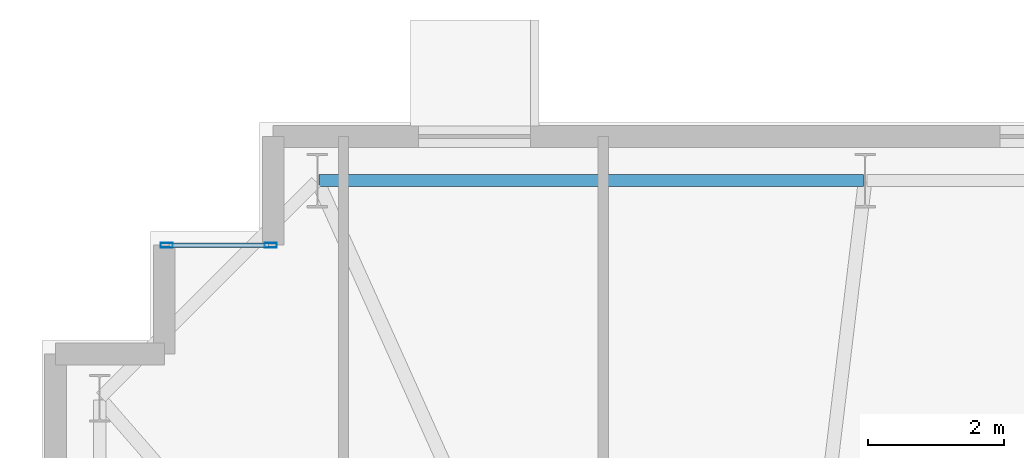
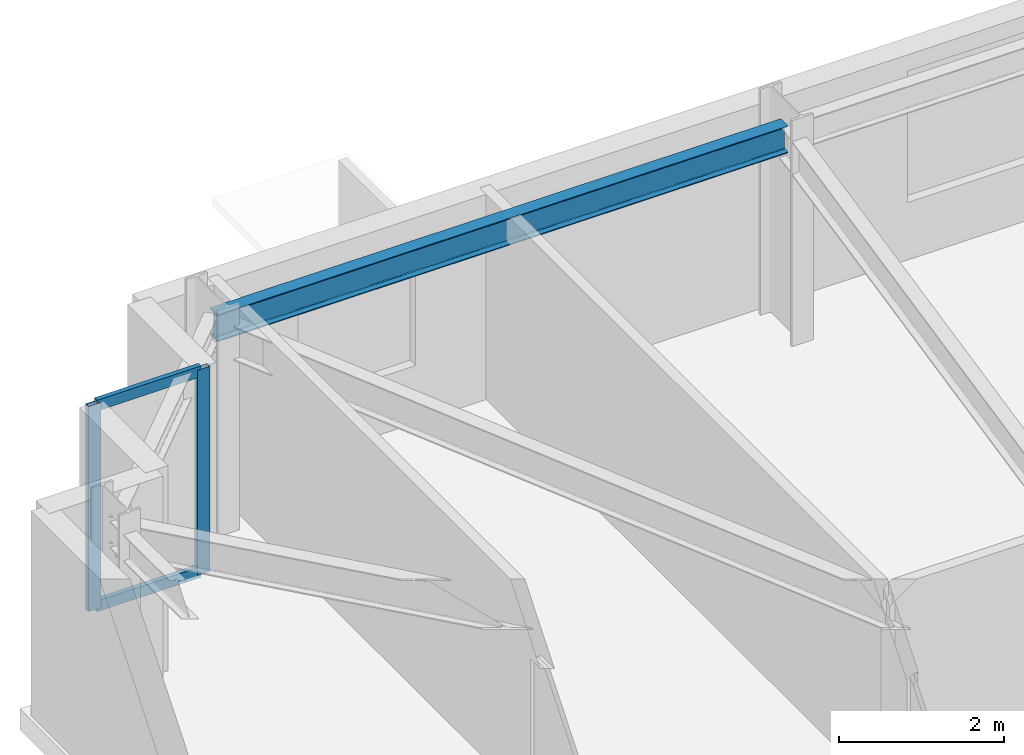
# One storey, part 7 of 18: 4 members, 1 beam, 1 element without a shape of its own.
"""IFC4 building model written with IfcOpenShell, lengths in metres."""

from ifc_helpers import new_model, si_unit, direction, frame, origin, origin_2d, place, context, subcontext, project, spatial, hollow_rectangle, i_section, extrude, material, layer, layer_set, material_profile, profile_set, type_object, element, aggregate, save


model = new_model("IFC4")

# Units and contexts
model_context = context("Model", 3, precision=1e-05, world=origin(), true_north=direction((0.0, 1.0)))
body_context = subcontext(model_context, "Body", "Model", "MODEL_VIEW")
ifc_project = project(units=[si_unit("LENGTHUNIT", "METRE"), si_unit("AREAUNIT", "SQUARE_METRE"), si_unit("VOLUMEUNIT", "CUBIC_METRE"), si_unit("PLANEANGLEUNIT", "RADIAN"), si_unit("MASSUNIT", "GRAM", prefix="KILO")], contexts=[model_context])

# Site, building, storey
site_placement = place(None, origin())
site = spatial("IfcSite", under=ifc_project, at=site_placement, CompositionType="ELEMENT")
building_placement = place(site_placement, origin())
building = spatial("IfcBuilding", under=site, at=building_placement, Name="Qobustan Lattice House", CompositionType="ELEMENT")
storey_placement = place(building_placement, frame((0.0, 0.0, 154.449951171875)))
storey = spatial("IfcBuildingStorey", under=building, at=storey_placement, Name="L43", CompositionType="ELEMENT", Elevation=154.449951171875)

# Beam
ifc_material_1 = material(Name="Steel S355", Category="steel")
ifc_material_profile_1 = material_profile(ifc_material_1, i_section(OverallWidth=0.179931640625, OverallDepth=0.39990234375, WebThickness=0.008544921875, FlangeThickness=0.013427734375, FilletRadius=0.02099609375, at=origin_2d()), Name="IPE400")
ifc_profile_set_1 = profile_set([ifc_material_profile_1], Name="Steel S355")
beam_type = type_object("IfcBeamType", Name="BM-SPD-IPE400", PredefinedType="SPANDREL", material=ifc_profile_set_1)
beam_placement = place(storey_placement, frame((-17.125, 19.75, 2.840087890625), z_axis=(-1.0, 0.0, 0.0), x_axis=(0.0, -1.0, 0.0)))
element("IfcBeam", 1, at=beam_placement, inside=storey, type_object=beam_type, Name="L43 perimeter spandrel N6-N7", PredefinedType="SPANDREL", context=body_context, shape_type="SweptSolid", body=[
    extrude(i_section(OverallWidth=0.179931640625, OverallDepth=0.39990234375, WebThickness=0.008544921875, FlangeThickness=0.013427734375, FilletRadius=0.02099609375, at=origin_2d()), origin(), (0.0, 0.0, 1.0), 8.0),
])

# Curtain wall, members
ifc_material_2 = material(Name="Anodised aluminium and low-E glazing", Category="aluminium")
ifc_layer = layer(ifc_material_2, 0.219970703125)
ifc_layer_set = layer_set([ifc_layer], Name="Anodised aluminium and low-E glazing")
curtain_wall_type = type_object("IfcCurtainWallType", Name="CW-FAC-02", PredefinedType="USERDEFINED", material=ifc_layer_set)
curtain_wall_placement = place(storey_placement, origin())
curtain_wall = element("IfcCurtainWall", 2, at=curtain_wall_placement, inside=storey, type_object=curtain_wall_type, Name="L43 serrated corner faceted glazing 8", ObjectType="CURTAIN WALL", PredefinedType="USERDEFINED")
ifc_material_3 = material(Name="Anodised aluminium EN AW-6063 T6", Category="aluminium")
ifc_material_profile_2 = material_profile(ifc_material_3, hollow_rectangle(XDim=0.070068359375, YDim=0.179931640625, WallThickness=0.00439453125, at=origin_2d()), Name="CWM-180x70")
ifc_profile_set_2 = profile_set([ifc_material_profile_2], Name="Anodised aluminium EN AW-6063 T6")
member_type_1 = type_object("IfcMemberType", Name="CWM-STD-180", PredefinedType="MULLION", material=ifc_profile_set_2)
member_1_placement = place(storey_placement, frame((-27.364990234375, 18.800048828125, 0.0), z_axis=(0.0, 0.0, 1.0), x_axis=(0.0, 1.0, 0.0)))
member_1 = element("IfcMember", 3, at=member_1_placement, type_object=member_type_1, Name="CW-F2 mullion 1", PredefinedType="MULLION", context=body_context, shape_type="SweptSolid", body=[
    extrude(hollow_rectangle(XDim=0.070068359375, YDim=0.179931640625, WallThickness=0.00439453125, at=origin_2d()), origin(), (0.0, 0.0, 1.0), 3.0400390625),
])
member_2_placement = place(storey_placement, frame((-25.8349609375, 18.800048828125, 0.0), z_axis=(0.0, 0.0, 1.0), x_axis=(0.0, 1.0, 0.0)))
member_2 = element("IfcMember", 4, at=member_2_placement, type_object=member_type_1, Name="CW-F2 mullion 2", PredefinedType="MULLION", context=body_context, shape_type="SweptSolid", body=[
    extrude(hollow_rectangle(XDim=0.070068359375, YDim=0.179931640625, WallThickness=0.00439453125, at=origin_2d()), origin(), (0.0, 0.0, 1.0), 3.0400390625),
])
ifc_material_4 = material(Name="Anodised aluminium EN AW-6063 T6", Category="aluminium")
ifc_material_profile_3 = material_profile(ifc_material_4, hollow_rectangle(XDim=0.06494140625, YDim=0.159912109375, WallThickness=0.00390625, at=origin_2d()), Name="CWT-160x65")
ifc_profile_set_3 = profile_set([ifc_material_profile_3], Name="Anodised aluminium EN AW-6063 T6")
member_type_2 = type_object("IfcMemberType", Name="CWT-HOR-160", PredefinedType="USERDEFINED", material=ifc_profile_set_3)
member_3_placement = place(storey_placement, frame((-27.330078125, 18.800048828125, 0.032470703125), z_axis=(1.0, 0.0, 0.0), x_axis=(0.0, 1.0, 0.0)))
member_3 = element("IfcMember", 5, at=member_3_placement, type_object=member_type_2, Name="CW-F2 transom 1.1", ObjectType="TRANSOM", PredefinedType="USERDEFINED", context=body_context, shape_type="SweptSolid", body=[
    extrude(hollow_rectangle(XDim=0.06494140625, YDim=0.159912109375, WallThickness=0.00390625, at=origin_2d()), origin(), (0.0, 0.0, 1.0), 1.4599609375),
])
member_4_placement = place(storey_placement, frame((-27.330078125, 18.800048828125, 3.007568359375), z_axis=(1.0, 0.0, 0.0), x_axis=(0.0, 1.0, 0.0)))
member_4 = element("IfcMember", 6, at=member_4_placement, type_object=member_type_2, Name="CW-F2 transom 1.2", ObjectType="TRANSOM", PredefinedType="USERDEFINED", context=body_context, shape_type="SweptSolid", body=[
    extrude(hollow_rectangle(XDim=0.06494140625, YDim=0.159912109375, WallThickness=0.00390625, at=origin_2d()), origin(), (0.0, 0.0, 1.0), 1.4599609375),
])
aggregate(curtain_wall, [member_1, member_2, member_3, member_4])

save(model, "model.ifc")
